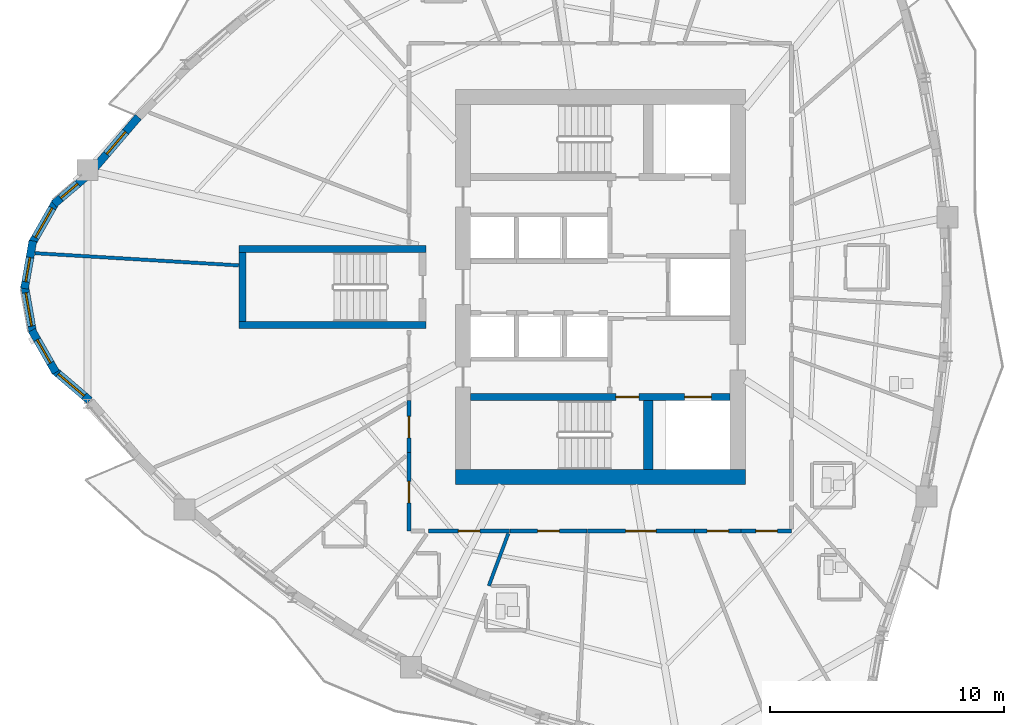
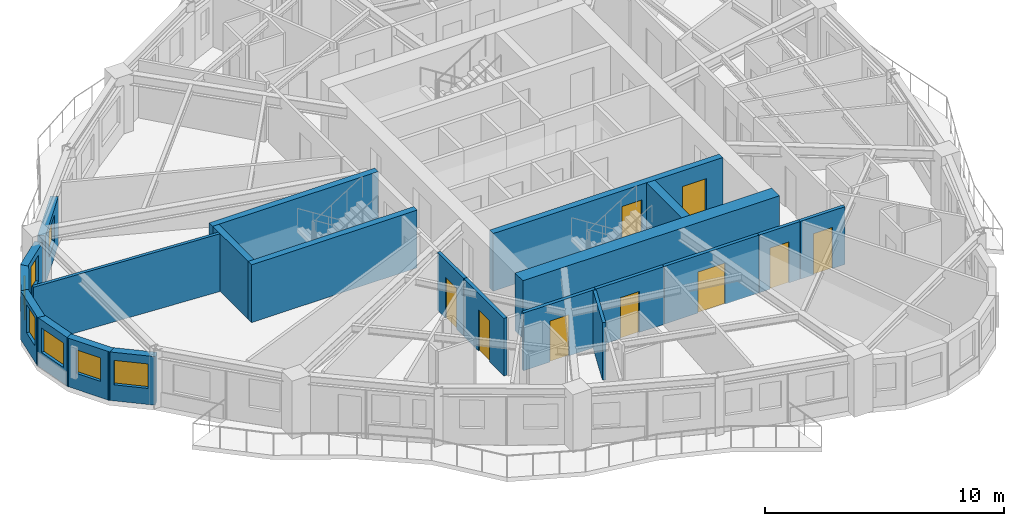
# One storey, part 4 of 13: 22 walls, 9 doors, 7 windows, 16 openings.
"""IFC4 building model written with IfcOpenShell, lengths in metres."""

from ifc_helpers import new_model, si_unit, direction, frame, frame_2d, origin, place, context, subcontext, project, spatial, rectangle, extrude, source, transform, mapped, material, layer, layer_set, type_object, element, fill, save


model = new_model("IFC4")

# Units and contexts
model_context = context("Model", 3, precision=1e-05, world=origin(), true_north=direction((0.0, 1.0)))
body_context = subcontext(model_context, "Body", "Model", "MODEL_VIEW")
ifc_project = project(units=[si_unit("LENGTHUNIT", "METRE"), si_unit("AREAUNIT", "SQUARE_METRE"), si_unit("VOLUMEUNIT", "CUBIC_METRE"), si_unit("PLANEANGLEUNIT", "RADIAN"), si_unit("MASSUNIT", "GRAM", prefix="KILO")], contexts=[model_context])

# Site, building, storey
site_placement = place(None, origin())
site = spatial("IfcSite", under=ifc_project, at=site_placement, CompositionType="ELEMENT")
building_placement = place(site_placement, origin())
building = spatial("IfcBuilding", under=site, at=building_placement, Name="Qafzar Sky-Pleat Residences", CompositionType="ELEMENT")
storey_placement = place(building_placement, frame((0.0, 0.0, 102.39990234375)))
storey = spatial("IfcBuildingStorey", under=building, at=storey_placement, Name="L30", CompositionType="ELEMENT", Elevation=102.39990234375)

# Wall, opening, door
ifc_material_1 = material(Name="Acoustic gypsum plasterboard partition", Category="gypsum")
ifc_layer_1 = layer(ifc_material_1, 0.159912109375)
ifc_layer_set_1 = layer_set([ifc_layer_1], Name="Acoustic gypsum plasterboard partition")
wall_type_1 = type_object("IfcWallType", Name="PART-COR-160", PredefinedType="PARTITIONING", material=ifc_layer_set_1)
wall_1_placement = place(storey_placement, frame((34.373046875, 15.570068359375, 0.0), z_axis=(0.0, 0.0, 1.0), x_axis=(-1.0, 0.0, 0.0)))
wall_1 = element("IfcWall", 1, at=wall_1_placement, inside=storey, type_object=wall_type_1, Name="L30 Partition Wall PART-L30-PW-004", PredefinedType="PARTITIONING", context=body_context, shape_type="SweptSolid", body=[
    extrude(rectangle(XDim=4.5771484375, YDim=0.159912109375, at=frame_2d((2.28857421875, 0.0))), origin(), (0.0, 0.0, 1.0), 2.9501953125),
])
opening_1_placement = place(wall_1_placement, frame((1.639404296875, 0.0, 0.0)))
opening_1 = element("IfcOpeningElement", 2, at=opening_1_placement, cuts=wall_1, Name="Opening ID-05", PredefinedType="OPENING", context=body_context, shape_type="SweptSolid", body=[
    extrude(rectangle(XDim=1.300048828125, YDim=2.10009765625, at=frame_2d((0.64990234375, 1.050048828125))), frame((0.0, 0.08984375, 0.0), z_axis=(0.0, -1.0, 0.0), x_axis=(1.0, 0.0, 0.0)), (0.0, 0.0, 1.0), 0.179931640625),
])
ifc_material_2 = material(Name="Timber-faced fire door", Category="wood")
door_type_1 = type_object("IfcDoorType", Name="DR-LNG-1300", OperationType="DOUBLE_DOOR_SINGLE_SWING", PredefinedType="DOOR", material=ifc_material_2)
shared_shape_1 = source(origin(), body_context, "Body", "SweptSolid", [
    extrude(rectangle(XDim=1.300048828125, YDim=2.10009765625, at=frame_2d((0.64990234375, 1.050048828125))), frame((0.0, 0.02490234375, 0.0), z_axis=(0.0, -1.0, 0.0), x_axis=(1.0, 0.0, 0.0)), (0.0, 0.0, 1.0), 0.050048828125),
])
door_1_placement = place(opening_1_placement, origin())
door_1 = element("IfcDoor", 3, at=door_1_placement, inside=storey, type_object=door_type_1, Name="L30 Co-Living Lounge Door", OperationType="DOUBLE_DOOR_SINGLE_SWING", OverallHeight=2.10009765625, OverallWidth=1.300048828125, PredefinedType="DOOR", context=body_context, shape_type="MappedRepresentation", body=[
    mapped(shared_shape_1, transform((0.0, 0.0, 0.0), x_axis=(1.0, 0.0, 0.0), y_axis=(0.0, 1.0, 0.0), z_axis=(0.0, 0.0, 1.0), scale=1.0)),
])
fill(opening_1, door_1)

wall_2_placement = place(storey_placement, frame((26.472900390625, 15.570068359375, 0.0), z_axis=(0.0, 0.0, 1.0), x_axis=(-1.0, 0.0, 0.0)))
wall_2 = element("IfcWall", 4, at=wall_2_placement, inside=storey, type_object=wall_type_1, Name="L30 Partition Wall PART-L30-PW-008", PredefinedType="PARTITIONING", context=body_context, shape_type="SweptSolid", body=[
    extrude(rectangle(XDim=3.469970703125, YDim=0.159912109375, at=frame_2d((1.73486328125, 0.0))), origin(), (0.0, 0.0, 1.0), 2.9501953125),
])
opening_2_placement = place(wall_2_placement, frame((1.27392578125, 0.0, 0.0)))
opening_2 = element("IfcOpeningElement", 5, at=opening_2_placement, cuts=wall_2, Name="Opening ID-04", PredefinedType="OPENING", context=body_context, shape_type="SweptSolid", body=[
    extrude(rectangle(XDim=0.919921875, YDim=2.10009765625, at=frame_2d((0.4599609375, 1.050048828125))), frame((0.0, 0.08984375, 0.0), z_axis=(0.0, -1.0, 0.0), x_axis=(1.0, 0.0, 0.0)), (0.0, 0.0, 1.0), 0.179931640625),
])
door_type_2 = type_object("IfcDoorType", Name="DR-BED-920", OperationType="NOTDEFINED", PredefinedType="DOOR", material=ifc_material_2)
shared_shape_2 = source(origin(), body_context, "Body", "SweptSolid", [
    extrude(rectangle(XDim=0.919921875, YDim=2.10009765625, at=frame_2d((0.4599609375, 1.050048828125))), frame((0.0, 0.02490234375, 0.0), z_axis=(0.0, -1.0, 0.0), x_axis=(1.0, 0.0, 0.0)), (0.0, 0.0, 1.0), 0.050048828125),
])
door_2_placement = place(opening_2_placement, origin())
door_2 = element("IfcDoor", 6, at=door_2_placement, inside=storey, type_object=door_type_2, Name="L30 Co-Living Bedroom 14 Door", OperationType="SINGLE_SWING_RIGHT", OverallHeight=2.10009765625, OverallWidth=0.919921875, PredefinedType="DOOR", context=body_context, shape_type="MappedRepresentation", body=[
    mapped(shared_shape_2, transform((0.0, 0.0, 0.0), x_axis=(1.0, 0.0, 0.0), y_axis=(0.0, 1.0, 0.0), z_axis=(0.0, 0.0, 1.0), scale=1.0)),
])
fill(opening_2, door_2)

wall_3_placement = place(storey_placement, frame((22.169921875, 15.570068359375, 0.0), z_axis=(0.0, 0.0, 1.0), x_axis=(0.0, 1.0, 0.0)))
wall_3 = element("IfcWall", 7, at=wall_3_placement, inside=storey, type_object=wall_type_1, Name="L30 Partition Wall PART-L30-PW-009", PredefinedType="PARTITIONING", context=body_context, shape_type="SweptSolid", body=[
    extrude(rectangle(XDim=3.345947265625, YDim=0.159912109375, at=frame_2d((1.6728515625, 0.0))), origin(), (0.0, 0.0, 1.0), 2.9501953125),
])
opening_3_placement = place(wall_3_placement, frame((1.202880859375, 0.0, 0.0)))
opening_3 = element("IfcOpeningElement", 8, at=opening_3_placement, cuts=wall_3, Name="Opening ID-04", PredefinedType="OPENING", context=body_context, shape_type="SweptSolid", body=[
    extrude(rectangle(XDim=0.919921875, YDim=2.10009765625, at=frame_2d((0.4599609375, 1.050048828125))), frame((0.0, 0.08984375, 0.0), z_axis=(0.0, -1.0, 0.0), x_axis=(1.0, 0.0, 0.0)), (0.0, 0.0, 1.0), 0.179931640625),
])
door_3_placement = place(opening_3_placement, origin())
door_3 = element("IfcDoor", 9, at=door_3_placement, inside=storey, type_object=door_type_2, Name="L30 Co-Living Bedroom 13 Door", OperationType="SINGLE_SWING_LEFT", OverallHeight=2.10009765625, OverallWidth=0.919921875, PredefinedType="DOOR", context=body_context, shape_type="MappedRepresentation", body=[
    mapped(shared_shape_2, transform((0.0, 0.0, 0.0), x_axis=(1.0, 0.0, 0.0), y_axis=(0.0, 1.0, 0.0), z_axis=(0.0, 0.0, 1.0), scale=1.0)),
])
fill(opening_3, door_3)

wall_4_placement = place(storey_placement, frame((29.781005859375, 15.570068359375, 0.0), z_axis=(0.0, 0.0, 1.0), x_axis=(-1.0, 0.0, 0.0)))
wall_4 = element("IfcWall", 10, at=wall_4_placement, inside=storey, type_object=wall_type_1, Name="L30 Partition Wall PART-L30-PW-010", PredefinedType="PARTITIONING", context=body_context, shape_type="SweptSolid", body=[
    extrude(rectangle(XDim=3.29296875, YDim=0.159912109375, at=frame_2d((1.646484375, 0.0))), origin(), (0.0, 0.0, 1.0), 2.9501953125),
])
opening_4_placement = place(wall_4_placement, frame((1.18701171875, 0.0, 0.0)))
opening_4 = element("IfcOpeningElement", 11, at=opening_4_placement, cuts=wall_4, Name="Opening ID-04", PredefinedType="OPENING", context=body_context, shape_type="SweptSolid", body=[
    extrude(rectangle(XDim=0.919921875, YDim=2.10009765625, at=frame_2d((0.4599609375, 1.050048828125))), frame((0.0, 0.08984375, 0.0), z_axis=(0.0, -1.0, 0.0), x_axis=(1.0, 0.0, 0.0)), (0.0, 0.0, 1.0), 0.179931640625),
])
door_4_placement = place(opening_4_placement, origin())
door_4 = element("IfcDoor", 12, at=door_4_placement, inside=storey, type_object=door_type_2, Name="L30 Co-Living Bedroom 1 Door", OperationType="SINGLE_SWING_RIGHT", OverallHeight=2.10009765625, OverallWidth=0.919921875, PredefinedType="DOOR", context=body_context, shape_type="MappedRepresentation", body=[
    mapped(shared_shape_2, transform((0.0, 0.0, 0.0), x_axis=(1.0, 0.0, 0.0), y_axis=(0.0, 1.0, 0.0), z_axis=(0.0, 0.0, 1.0), scale=1.0)),
])
fill(opening_4, door_4)

wall_5_placement = place(storey_placement, frame((22.169921875, 18.930908203125, 0.0), z_axis=(0.0, 0.0, 1.0), x_axis=(0.0, 1.0, 0.0)))
wall_5 = element("IfcWall", 13, at=wall_5_placement, inside=storey, type_object=wall_type_1, Name="L30 Partition Wall PART-L30-PW-012", PredefinedType="PARTITIONING", context=body_context, shape_type="SweptSolid", body=[
    extrude(rectangle(XDim=2.210205078125, YDim=0.159912109375, at=frame_2d((1.10498046875, 0.0))), origin(), (0.0, 0.0, 1.0), 2.9501953125),
])
opening_5_placement = place(wall_5_placement, frame((0.618896484375, 0.0, 0.0)))
opening_5 = element("IfcOpeningElement", 14, at=opening_5_placement, cuts=wall_5, Name="Opening ID-04", PredefinedType="OPENING", context=body_context, shape_type="SweptSolid", body=[
    extrude(rectangle(XDim=0.919921875, YDim=2.10009765625, at=frame_2d((0.4599609375, 1.050048828125))), frame((0.0, 0.08984375, 0.0), z_axis=(0.0, -1.0, 0.0), x_axis=(1.0, 0.0, 0.0)), (0.0, 0.0, 1.0), 0.179931640625),
])
door_5_placement = place(opening_5_placement, origin())
door_5 = element("IfcDoor", 15, at=door_5_placement, inside=storey, type_object=door_type_2, Name="L30 Co-Living Bedroom 12 Door", OperationType="SINGLE_SWING_RIGHT", OverallHeight=2.10009765625, OverallWidth=0.919921875, PredefinedType="DOOR", context=body_context, shape_type="MappedRepresentation", body=[
    mapped(shared_shape_2, transform((0.0, 0.0, 0.0), x_axis=(1.0, 0.0, 0.0), y_axis=(0.0, 1.0, 0.0), z_axis=(0.0, 0.0, 1.0), scale=1.0)),
])
fill(opening_5, door_5)

wall_6_placement = place(storey_placement, frame((38.530029296875, 15.570068359375, 0.0), z_axis=(0.0, 0.0, 1.0), x_axis=(-1.0, 0.0, 0.0)))
wall_6 = element("IfcWall", 16, at=wall_6_placement, inside=storey, type_object=wall_type_1, Name="L30 Partition Wall PART-L30-PW-013", PredefinedType="PARTITIONING", context=body_context, shape_type="SweptSolid", body=[
    extrude(rectangle(XDim=2.156005859375, YDim=0.159912109375, at=frame_2d((1.078125, 0.0))), origin(), (0.0, 0.0, 1.0), 2.9501953125),
])
opening_6_placement = place(wall_6_placement, frame((0.60888671875, 0.0, 0.0)))
opening_6 = element("IfcOpeningElement", 17, at=opening_6_placement, cuts=wall_6, Name="Opening ID-04", PredefinedType="OPENING", context=body_context, shape_type="SweptSolid", body=[
    extrude(rectangle(XDim=0.919921875, YDim=2.10009765625, at=frame_2d((0.4599609375, 1.050048828125))), frame((0.0, 0.08984375, 0.0), z_axis=(0.0, -1.0, 0.0), x_axis=(1.0, 0.0, 0.0)), (0.0, 0.0, 1.0), 0.179931640625),
])
door_6_placement = place(opening_6_placement, origin())
door_6 = element("IfcDoor", 18, at=door_6_placement, inside=storey, type_object=door_type_2, Name="L30 Co-Living Bedroom 3 Door", OperationType="SINGLE_SWING_LEFT", OverallHeight=2.10009765625, OverallWidth=0.919921875, PredefinedType="DOOR", context=body_context, shape_type="MappedRepresentation", body=[
    mapped(shared_shape_2, transform((0.0, 0.0, 0.0), x_axis=(1.0, 0.0, 0.0), y_axis=(0.0, 1.0, 0.0), z_axis=(0.0, 0.0, 1.0), scale=1.0)),
])
fill(opening_6, door_6)

wall_7_placement = place(storey_placement, frame((36.35888671875, 15.570068359375, 0.0), z_axis=(0.0, 0.0, 1.0), x_axis=(-1.0, 0.0, 0.0)))
wall_7 = element("IfcWall", 19, at=wall_7_placement, inside=storey, type_object=wall_type_1, Name="L30 Partition Wall PART-L30-PW-015", PredefinedType="PARTITIONING", context=body_context, shape_type="SweptSolid", body=[
    extrude(rectangle(XDim=1.970947265625, YDim=0.159912109375, at=frame_2d((0.9853515625, 0.0))), origin(), (0.0, 0.0, 1.0), 2.9501953125),
])
opening_7_placement = place(wall_7_placement, frame((0.52490234375, 0.0, 0.0)))
opening_7 = element("IfcOpeningElement", 20, at=opening_7_placement, cuts=wall_7, Name="Opening ID-04", PredefinedType="OPENING", context=body_context, shape_type="SweptSolid", body=[
    extrude(rectangle(XDim=0.919921875, YDim=2.10009765625, at=frame_2d((0.4599609375, 1.050048828125))), frame((0.0, 0.08984375, 0.0), z_axis=(0.0, -1.0, 0.0), x_axis=(1.0, 0.0, 0.0)), (0.0, 0.0, 1.0), 0.179931640625),
])
door_7_placement = place(opening_7_placement, origin())
door_7 = element("IfcDoor", 21, at=door_7_placement, inside=storey, type_object=door_type_2, Name="L30 Co-Living Bedroom 2 Door", OperationType="SINGLE_SWING_LEFT", OverallHeight=2.10009765625, OverallWidth=0.919921875, PredefinedType="DOOR", context=body_context, shape_type="MappedRepresentation", body=[
    mapped(shared_shape_2, transform((0.0, 0.0, 0.0), x_axis=(1.0, 0.0, 0.0), y_axis=(0.0, 1.0, 0.0), z_axis=(0.0, 0.0, 1.0), scale=1.0)),
])
fill(opening_7, door_7)

# Walls
ifc_layer_2 = layer(ifc_material_1, 0.14501953125)
ifc_layer_set_2 = layer_set([ifc_layer_2], Name="Acoustic gypsum plasterboard partition")
wall_type_2 = type_object("IfcWallType", Name="PART-UNIT-145", PredefinedType="PARTITIONING", material=ifc_layer_set_2)
wall_8_placement = place(storey_placement, frame((6.1796875, 27.447509765625, 0.0), z_axis=(0.0, 0.0, 1.0), x_axis=(0.998209995059, -0.059806402362, 0.0)))
element("IfcWall", 22, at=wall_8_placement, inside=storey, type_object=wall_type_2, Name="L30 Partition Wall PART-L30-PW-038", PredefinedType="PARTITIONING", context=body_context, shape_type="SweptSolid", body=[
    extrude(rectangle(XDim=8.7236328125, YDim=0.14501953125, at=frame_2d((4.36181640625, 0.0))), origin(), (0.0, 0.0, 1.0), 2.9501953125),
])
wall_9_placement = place(storey_placement, frame((25.5810546875, 13.222900390625, 0.0), z_axis=(0.0, 0.0, 1.0), x_axis=(0.349597225683, 0.936900090615, 0.0)))
element("IfcWall", 23, at=wall_9_placement, inside=storey, type_object=wall_type_2, Name="L30 Partition Wall PART-L30-PW-055", PredefinedType="PARTITIONING", context=body_context, shape_type="SweptSolid", body=[
    extrude(rectangle(XDim=2.384765625, YDim=0.14501953125, at=frame_2d((1.1923828125, 0.0))), origin(), (0.0, 0.0, 1.0), 2.9501953125),
])

# Wall, opening, window
ifc_material_3 = material(Name="Precast concrete C40/50 with honed Riyadh limestone", Category="concrete")
ifc_layer_3 = layer(ifc_material_3, 0.340087890625)
ifc_layer_set_3 = layer_set([ifc_layer_3], Name="Precast concrete C40/50 with honed Riyadh limestone")
wall_type_3 = type_object("IfcWallType", Name="WALL-EXT-340", PredefinedType="SOLIDWALL", material=ifc_layer_set_3)
wall_10_placement = place(storey_placement, frame((8.354736328125, 30.7177734375, 0.0), z_axis=(0.0, 0.0, 1.0), x_axis=(-0.761134405886, -0.648594184507, 0.0)))
wall_10 = element("IfcWall", 24, at=wall_10_placement, inside=storey, type_object=wall_type_3, Name="L30 Limestone Facade Wall 1", PredefinedType="SOLIDWALL", context=body_context, shape_type="SweptSolid", body=[
    extrude(rectangle(XDim=1.804931640625, YDim=0.340087890625, at=frame_2d((0.90234375, 0.0))), origin(), (0.0, 0.0, 1.0), 2.47998046875),
])
opening_8_placement = place(wall_10_placement, frame((0.46240234375, 0.0, 0.820068359375)))
opening_8 = element("IfcOpeningElement", 25, at=opening_8_placement, cuts=wall_10, Name="Opening WN-12", PredefinedType="OPENING", context=body_context, shape_type="SweptSolid", body=[
    extrude(rectangle(XDim=0.949951171875, YDim=1.35009765625, at=frame_2d((0.47509765625, 0.675048828125))), frame((0.0, 0.18017578125, 0.0), z_axis=(0.0, -1.0, 0.0), x_axis=(1.0, 0.0, 0.0)), (0.0, 0.0, 1.0), 0.360107421875),
])
ifc_material_4 = material(Name="Solar-control low-E glass in bronze aluminium frame", Category="glass")
window_type_1 = type_object("IfcWindowType", Name="WIN-12", PartitioningType="SINGLE_PANEL", PredefinedType="WINDOW", material=ifc_material_4)
shared_shape_3 = source(origin(), body_context, "Body", "SweptSolid", [
    extrude(rectangle(XDim=0.949951171875, YDim=1.35009765625, at=frame_2d((0.47509765625, 0.675048828125))), frame((0.0, 0.030029296875, 0.0), z_axis=(0.0, -1.0, 0.0), x_axis=(1.0, 0.0, 0.0)), (0.0, 0.0, 1.0), 0.06005859375),
])
window_1_placement = place(opening_8_placement, origin())
window_1 = element("IfcWindow", 26, at=window_1_placement, inside=storey, type_object=window_type_1, Name="L30 Punched Facade Window 01", OverallHeight=1.35009765625, OverallWidth=0.949951171875, PartitioningType="SINGLE_PANEL", PredefinedType="WINDOW", context=body_context, shape_type="MappedRepresentation", body=[
    mapped(shared_shape_3, transform((0.0, 0.0, 0.0), x_axis=(1.0, 0.0, 0.0), y_axis=(0.0, 1.0, 0.0), z_axis=(0.0, 0.0, 1.0), scale=1.0)),
])
fill(opening_8, window_1)

wall_11_placement = place(storey_placement, frame((7.066162109375, 29.64990234375, 0.0), z_axis=(0.0, 0.0, 1.0), x_axis=(-0.496037473582, -0.868301114132, 0.0)))
wall_11 = element("IfcWall", 27, at=wall_11_placement, inside=storey, type_object=wall_type_3, Name="L30 Limestone Facade Wall 2", PredefinedType="SOLIDWALL", context=body_context, shape_type="SweptSolid", body=[
    extrude(rectangle(XDim=2.072998046875, YDim=0.340087890625, at=frame_2d((1.03662109375, 0.0))), origin(), (0.0, 0.0, 1.0), 2.47998046875),
])
opening_9_placement = place(wall_11_placement, frame((0.3115234375, 0.0, 0.820068359375)))
opening_9 = element("IfcOpeningElement", 28, at=opening_9_placement, cuts=wall_11, Name="Opening WN-15", PredefinedType="OPENING", context=body_context, shape_type="SweptSolid", body=[
    extrude(rectangle(XDim=1.449951171875, YDim=1.25, at=frame_2d((0.72509765625, 0.625))), frame((0.0, 0.18017578125, 0.0), z_axis=(0.0, -1.0, 0.0), x_axis=(1.0, 0.0, 0.0)), (0.0, 0.0, 1.0), 0.360107421875),
])
window_type_2 = type_object("IfcWindowType", Name="WIN-15", PartitioningType="SINGLE_PANEL", PredefinedType="WINDOW", material=ifc_material_4)
shared_shape_4 = source(origin(), body_context, "Body", "SweptSolid", [
    extrude(rectangle(XDim=1.449951171875, YDim=1.25, at=frame_2d((0.72509765625, 0.625))), frame((0.0, 0.030029296875, 0.0), z_axis=(0.0, -1.0, 0.0), x_axis=(1.0, 0.0, 0.0)), (0.0, 0.0, 1.0), 0.06005859375),
])
window_2_placement = place(opening_9_placement, origin())
window_2 = element("IfcWindow", 29, at=window_2_placement, inside=storey, type_object=window_type_2, Name="L30 Punched Facade Window 02", OverallHeight=1.25, OverallWidth=1.449951171875, PartitioningType="SINGLE_PANEL", PredefinedType="WINDOW", context=body_context, shape_type="MappedRepresentation", body=[
    mapped(shared_shape_4, transform((0.0, 0.0, 0.0), x_axis=(1.0, 0.0, 0.0), y_axis=(0.0, 1.0, 0.0), z_axis=(0.0, 0.0, 1.0), scale=1.0)),
])
fill(opening_9, window_2)

wall_12_placement = place(storey_placement, frame((6.0830078125, 27.975341796875, 0.0), z_axis=(0.0, 0.0, 1.0), x_axis=(-0.172186061474, -0.985064444711, 0.0)))
wall_12 = element("IfcWall", 30, at=wall_12_placement, inside=storey, type_object=wall_type_3, Name="L30 Limestone Facade Wall 3", PredefinedType="SOLIDWALL", context=body_context, shape_type="SweptSolid", body=[
    extrude(rectangle(XDim=2.072998046875, YDim=0.340087890625, at=frame_2d((1.03662109375, 0.0))), origin(), (0.0, 0.0, 1.0), 2.47998046875),
])
opening_10_placement = place(wall_12_placement, frame((0.724609375, 0.0, 0.820068359375)))
opening_10 = element("IfcOpeningElement", 31, at=opening_10_placement, cuts=wall_12, Name="Opening WN-06", PredefinedType="OPENING", context=body_context, shape_type="SweptSolid", body=[
    extrude(rectangle(XDim=1.050048828125, YDim=1.449951171875, at=frame_2d((0.52490234375, 0.72509765625))), frame((0.0, 0.18017578125, 0.0), z_axis=(0.0, -1.0, 0.0), x_axis=(1.0, 0.0, 0.0)), (0.0, 0.0, 1.0), 0.360107421875),
])
window_type_3 = type_object("IfcWindowType", Name="WIN-06", PartitioningType="SINGLE_PANEL", PredefinedType="WINDOW", material=ifc_material_4)
shared_shape_5 = source(origin(), body_context, "Body", "SweptSolid", [
    extrude(rectangle(XDim=1.050048828125, YDim=1.449951171875, at=frame_2d((0.52490234375, 0.72509765625))), frame((0.0, 0.030029296875, 0.0), z_axis=(0.0, -1.0, 0.0), x_axis=(1.0, 0.0, 0.0)), (0.0, 0.0, 1.0), 0.06005859375),
])
window_3_placement = place(opening_10_placement, origin())
window_3 = element("IfcWindow", 32, at=window_3_placement, inside=storey, type_object=window_type_3, Name="L30 Punched Facade Window 03-2", OverallHeight=1.449951171875, OverallWidth=1.050048828125, PartitioningType="SINGLE_PANEL", PredefinedType="WINDOW", context=body_context, shape_type="MappedRepresentation", body=[
    mapped(shared_shape_5, transform((0.0, 0.0, 0.0), x_axis=(1.0, 0.0, 0.0), y_axis=(0.0, 1.0, 0.0), z_axis=(0.0, 0.0, 1.0), scale=1.0)),
])
fill(opening_10, window_3)

wall_13_placement = place(storey_placement, frame((5.72607421875, 26.066650390625, 0.0), z_axis=(0.0, 0.0, 1.0), x_axis=(0.172186061474, -0.985064444711, 0.0)))
wall_13 = element("IfcWall", 33, at=wall_13_placement, inside=storey, type_object=wall_type_3, Name="L30 Limestone Facade Wall 4", PredefinedType="SOLIDWALL", context=body_context, shape_type="SweptSolid", body=[
    extrude(rectangle(XDim=2.072998046875, YDim=0.340087890625, at=frame_2d((1.03662109375, 0.0))), origin(), (0.0, 0.0, 1.0), 2.47998046875),
])
opening_11_placement = place(wall_13_placement, frame((0.3115234375, 0.0, 0.820068359375)))
opening_11 = element("IfcOpeningElement", 34, at=opening_11_placement, cuts=wall_13, Name="Opening WN-15", PredefinedType="OPENING", context=body_context, shape_type="SweptSolid", body=[
    extrude(rectangle(XDim=1.449951171875, YDim=1.25, at=frame_2d((0.72509765625, 0.625))), frame((0.0, 0.18017578125, 0.0), z_axis=(0.0, -1.0, 0.0), x_axis=(1.0, 0.0, 0.0)), (0.0, 0.0, 1.0), 0.360107421875),
])
window_4_placement = place(opening_11_placement, origin())
window_4 = element("IfcWindow", 35, at=window_4_placement, inside=storey, type_object=window_type_2, Name="L30 Punched Facade Window 04", OverallHeight=1.25, OverallWidth=1.449951171875, PartitioningType="SINGLE_PANEL", PredefinedType="WINDOW", context=body_context, shape_type="MappedRepresentation", body=[
    mapped(shared_shape_4, transform((0.0, 0.0, 0.0), x_axis=(1.0, 0.0, 0.0), y_axis=(0.0, 1.0, 0.0), z_axis=(0.0, 0.0, 1.0), scale=1.0)),
])
fill(opening_11, window_4)

wall_14_placement = place(storey_placement, frame((6.037841796875, 24.150146484375, 0.0), z_axis=(0.0, 0.0, 1.0), x_axis=(0.496037473582, -0.868301114132, 0.0)))
wall_14 = element("IfcWall", 36, at=wall_14_placement, inside=storey, type_object=wall_type_3, Name="L30 Limestone Facade Wall 5", PredefinedType="SOLIDWALL", context=body_context, shape_type="SweptSolid", body=[
    extrude(rectangle(XDim=2.072998046875, YDim=0.340087890625, at=frame_2d((1.03662109375, 0.0))), origin(), (0.0, 0.0, 1.0), 2.47998046875),
])
opening_12_placement = place(wall_14_placement, frame((0.46142578125, 0.0, 0.820068359375)))
opening_12 = element("IfcOpeningElement", 37, at=opening_12_placement, cuts=wall_14, Name="Opening WN-16", PredefinedType="OPENING", context=body_context, shape_type="SweptSolid", body=[
    extrude(rectangle(XDim=1.14990234375, YDim=1.199951171875, at=frame_2d((0.574951171875, 0.60009765625))), frame((0.0, 0.18017578125, 0.0), z_axis=(0.0, -1.0, 0.0), x_axis=(1.0, 0.0, 0.0)), (0.0, 0.0, 1.0), 0.360107421875),
])
window_type_4 = type_object("IfcWindowType", Name="WIN-16", PartitioningType="SINGLE_PANEL", PredefinedType="WINDOW", material=ifc_material_4)
shared_shape_6 = source(origin(), body_context, "Body", "SweptSolid", [
    extrude(rectangle(XDim=1.14990234375, YDim=1.199951171875, at=frame_2d((0.574951171875, 0.60009765625))), frame((0.0, 0.030029296875, 0.0), z_axis=(0.0, -1.0, 0.0), x_axis=(1.0, 0.0, 0.0)), (0.0, 0.0, 1.0), 0.06005859375),
])
window_5_placement = place(opening_12_placement, origin())
window_5 = element("IfcWindow", 38, at=window_5_placement, inside=storey, type_object=window_type_4, Name="L30 Punched Facade Window 05", OverallHeight=1.199951171875, OverallWidth=1.14990234375, PartitioningType="SINGLE_PANEL", PredefinedType="WINDOW", context=body_context, shape_type="MappedRepresentation", body=[
    mapped(shared_shape_6, transform((0.0, 0.0, 0.0), x_axis=(1.0, 0.0, 0.0), y_axis=(0.0, 1.0, 0.0), z_axis=(0.0, 0.0, 1.0), scale=1.0)),
])
fill(opening_12, window_5)

wall_15_placement = place(storey_placement, frame((6.98095703125, 22.452880859375, 0.0), z_axis=(0.0, 0.0, 1.0), x_axis=(0.761092561451, -0.648643286332, 0.0)))
wall_15 = element("IfcWall", 39, at=wall_15_placement, inside=storey, type_object=wall_type_3, Name="L30 Limestone Facade Wall 6", PredefinedType="SOLIDWALL", context=body_context, shape_type="SweptSolid", body=[
    extrude(rectangle(XDim=2.014892578125, YDim=0.340087890625, at=frame_2d((1.00732421875, 0.0))), origin(), (0.0, 0.0, 1.0), 2.47998046875),
])
opening_13_placement = place(wall_15_placement, frame((0.25244140625, 0.0, 0.820068359375)))
opening_13 = element("IfcOpeningElement", 40, at=opening_13_placement, cuts=wall_15, Name="Opening WN-15", PredefinedType="OPENING", context=body_context, shape_type="SweptSolid", body=[
    extrude(rectangle(XDim=1.449951171875, YDim=1.25, at=frame_2d((0.72509765625, 0.625))), frame((0.0, 0.18017578125, 0.0), z_axis=(0.0, -1.0, 0.0), x_axis=(1.0, 0.0, 0.0)), (0.0, 0.0, 1.0), 0.360107421875),
])
window_6_placement = place(opening_13_placement, origin())
window_6 = element("IfcWindow", 41, at=window_6_placement, inside=storey, type_object=window_type_2, Name="L30 Punched Facade Window 06", OverallHeight=1.25, OverallWidth=1.449951171875, PartitioningType="SINGLE_PANEL", PredefinedType="WINDOW", context=body_context, shape_type="MappedRepresentation", body=[
    mapped(shared_shape_4, transform((0.0, 0.0, 0.0), x_axis=(1.0, 0.0, 0.0), y_axis=(0.0, 1.0, 0.0), z_axis=(0.0, 0.0, 1.0), scale=1.0)),
])
fill(opening_13, window_6)

wall_16_placement = place(storey_placement, frame((10.59423828125, 33.2724609375, 0.0), z_axis=(0.0, 0.0, 1.0), x_axis=(-0.650763769467, -0.759280262057, 0.0)))
wall_16 = element("IfcWall", 42, at=wall_16_placement, inside=storey, type_object=wall_type_3, Name="L30 Limestone Facade Wall 48", PredefinedType="SOLIDWALL", context=body_context, shape_type="SweptSolid", body=[
    extrude(rectangle(XDim=2.91357421875, YDim=0.340087890625, at=frame_2d((1.456787109375, 0.0))), origin(), (0.0, 0.0, 1.0), 2.47998046875),
])
opening_14_placement = place(wall_16_placement, frame((0.8369140625, 0.0, 0.820068359375)))
opening_14 = element("IfcOpeningElement", 43, at=opening_14_placement, cuts=wall_16, Name="Opening WN-11", PredefinedType="OPENING", context=body_context, shape_type="SweptSolid", body=[
    extrude(rectangle(XDim=1.25, YDim=1.35009765625, at=frame_2d((0.625, 0.675048828125))), frame((0.0, 0.18017578125, 0.0), z_axis=(0.0, -1.0, 0.0), x_axis=(1.0, 0.0, 0.0)), (0.0, 0.0, 1.0), 0.360107421875),
])
window_type_5 = type_object("IfcWindowType", Name="WIN-11", PartitioningType="SINGLE_PANEL", PredefinedType="WINDOW", material=ifc_material_4)
shared_shape_7 = source(origin(), body_context, "Body", "SweptSolid", [
    extrude(rectangle(XDim=1.25, YDim=1.35009765625, at=frame_2d((0.625, 0.675048828125))), frame((0.0, 0.030029296875, 0.0), z_axis=(0.0, -1.0, 0.0), x_axis=(1.0, 0.0, 0.0)), (0.0, 0.0, 1.0), 0.06005859375),
])
window_7_placement = place(opening_14_placement, origin())
window_7 = element("IfcWindow", 44, at=window_7_placement, inside=storey, type_object=window_type_5, Name="L30 Punched Facade Window 48", OverallHeight=1.35009765625, OverallWidth=1.25, PartitioningType="SINGLE_PANEL", PredefinedType="WINDOW", context=body_context, shape_type="MappedRepresentation", body=[
    mapped(shared_shape_7, transform((0.0, 0.0, 0.0), x_axis=(1.0, 0.0, 0.0), y_axis=(0.0, 1.0, 0.0), z_axis=(0.0, 0.0, 1.0), scale=1.0)),
])
fill(opening_14, window_7)

# Wall, openings, doors
ifc_material_5 = material(Name="Concrete C60/75", Category="concrete")
ifc_layer_4 = layer(ifc_material_5, 0.300048828125)
ifc_layer_set_4 = layer_set([ifc_layer_4], Name="Concrete C60/75")
wall_type_4 = type_object("IfcWallType", Name="WALL-SHEAR-300", PredefinedType="SHEAR", material=ifc_layer_set_4)
wall_17_placement = place(storey_placement, frame((24.800048828125, 21.300048828125, 0.0), z_axis=(0.0, 0.0, 1.0), x_axis=(1.0, 0.0, 0.0)))
wall_17 = element("IfcWall", 45, at=wall_17_placement, inside=storey, type_object=wall_type_4, Name="L30 Stair ST1 and FF1 Shaft North Wall", PredefinedType="SHEAR", context=body_context, shape_type="SweptSolid", body=[
    extrude(rectangle(XDim=11.099853515625, YDim=0.300048828125, at=frame_2d((5.5498046875, 0.0))), origin(), (0.0, 0.0, 1.0), 2.9501953125),
])
opening_15_placement = place(wall_17_placement, frame((6.219970703125, 0.0, 0.0)))
opening_15 = element("IfcOpeningElement", 46, at=opening_15_placement, cuts=wall_17, Name="Opening ID-01", PredefinedType="OPENING", context=body_context, shape_type="SweptSolid", body=[
    extrude(rectangle(XDim=0.97998046875, YDim=2.14990234375, at=frame_2d((0.489990234375, 1.074951171875))), frame((0.0, 0.16015625, 0.0), z_axis=(0.0, -1.0, 0.0), x_axis=(1.0, 0.0, 0.0)), (0.0, 0.0, 1.0), 0.320068359375),
])
opening_16_placement = place(wall_17_placement, frame((9.14990234375, 0.0, 0.0)))
opening_16 = element("IfcOpeningElement", 47, at=opening_16_placement, cuts=wall_17, Name="Opening LD-02", PredefinedType="OPENING", context=body_context, shape_type="SweptSolid", body=[
    extrude(rectangle(XDim=1.14990234375, YDim=2.14990234375, at=frame_2d((0.574951171875, 1.074951171875))), frame((0.0, 0.16015625, 0.0), z_axis=(0.0, -1.0, 0.0), x_axis=(1.0, 0.0, 0.0)), (0.0, 0.0, 1.0), 0.320068359375),
])
door_type_3 = type_object("IfcDoorType", Name="DR-STAIR-980", OperationType="NOTDEFINED", PredefinedType="DOOR", material=ifc_material_2)
shared_shape_8 = source(origin(), body_context, "Body", "SweptSolid", [
    extrude(rectangle(XDim=0.97998046875, YDim=2.14990234375, at=frame_2d((0.489990234375, 1.074951171875))), frame((0.0, 0.02490234375, 0.0), z_axis=(0.0, -1.0, 0.0), x_axis=(1.0, 0.0, 0.0)), (0.0, 0.0, 1.0), 0.050048828125),
])
door_8_placement = place(opening_15_placement, origin())
door_8 = element("IfcDoor", 48, at=door_8_placement, inside=storey, type_object=door_type_3, Name="L30 Stair ST1 Fire Door", OperationType="SINGLE_SWING_RIGHT", OverallHeight=2.14990234375, OverallWidth=0.97998046875, PredefinedType="DOOR", context=body_context, shape_type="MappedRepresentation", body=[
    mapped(shared_shape_8, transform((0.0, 0.0, 0.0), x_axis=(1.0, 0.0, 0.0), y_axis=(0.0, 1.0, 0.0), z_axis=(0.0, 0.0, 1.0), scale=1.0)),
])
fill(opening_15, door_8)
ifc_material_6 = material(Name="Stainless steel sliding landing door", Category="steel")
door_type_4 = type_object("IfcDoorType", Name="DR-LIFT-FF", OperationType="DOUBLE_DOOR_SLIDING", PredefinedType="DOOR", material=ifc_material_6)
shared_shape_9 = source(origin(), body_context, "Body", "SweptSolid", [
    extrude(rectangle(XDim=1.14990234375, YDim=2.14990234375, at=frame_2d((0.574951171875, 1.074951171875))), frame((0.0, 0.02490234375, 0.0), z_axis=(0.0, -1.0, 0.0), x_axis=(1.0, 0.0, 0.0)), (0.0, 0.0, 1.0), 0.050048828125),
])
door_9_placement = place(opening_16_placement, origin())
door_9 = element("IfcDoor", 49, at=door_9_placement, inside=storey, type_object=door_type_4, Name="L30 Firefighting Lift FF1 Landing Door", OperationType="DOUBLE_DOOR_SLIDING", OverallHeight=2.14990234375, OverallWidth=1.14990234375, PredefinedType="DOOR", context=body_context, shape_type="MappedRepresentation", body=[
    mapped(shared_shape_9, transform((0.0, 0.0, 0.0), x_axis=(1.0, 0.0, 0.0), y_axis=(0.0, 1.0, 0.0), z_axis=(0.0, 0.0, 1.0), scale=1.0)),
])
fill(opening_16, door_9)

# Walls
for number, where, z_axis, x_axis, name in (
    (50, (14.89990234375, 24.375, 0.0), (0.0, 0.0, 1.0), (1.0, 0.0, 0.0), "L30 ST3 wall S"),
    (51, (22.89990234375, 27.625, 0.0), (0.0, 0.0, 1.0), (-1.0, 0.0, 0.0), "L30 ST3 wall N"),
):
    element("IfcWall", number, at=place(storey_placement, frame(where, z_axis=z_axis, x_axis=x_axis)), inside=storey, type_object=wall_type_4, Name=name, PredefinedType="SHEAR", context=body_context, shape_type="SweptSolid", body=[
        extrude(rectangle(XDim=8.0, YDim=0.300048828125, at=frame_2d((4.0, 0.0))), origin(), (0.0, 0.0, 1.0), 2.9501953125),
    ])
wall_18_placement = place(storey_placement, frame((15.050048828125, 27.47509765625, 0.0), z_axis=(0.0, 0.0, 1.0), x_axis=(0.0, -1.0, 0.0)))
element("IfcWall", 52, at=wall_18_placement, inside=storey, type_object=wall_type_4, Name="L30 ST3 wall W", PredefinedType="SHEAR", context=body_context, shape_type="SweptSolid", body=[
    extrude(rectangle(XDim=2.9501953125, YDim=0.300048828125, at=frame_2d((1.47509765625, 0.0))), origin(), (0.0, 0.0, 1.0), 2.9501953125),
])
ifc_layer_5 = layer(ifc_material_5, 0.39990234375)
ifc_layer_set_5 = layer_set([ifc_layer_5], Name="Concrete C60/75")
wall_type_5 = type_object("IfcWallType", Name="WALL-SHEAR-400", PredefinedType="SHEAR", material=ifc_layer_set_5)
wall_19_placement = place(storey_placement, frame((32.39990234375, 18.199951171875, 0.0), z_axis=(0.0, 0.0, 1.0), x_axis=(0.0, 1.0, 0.0)))
element("IfcWall", 53, at=wall_19_placement, inside=storey, type_object=wall_type_5, Name="L30 Stair ST1 East Dividing Wall", PredefinedType="SHEAR", context=body_context, shape_type="SweptSolid", body=[
    extrude(rectangle(XDim=2.949951171875, YDim=0.39990234375, at=frame_2d((1.47509765625, 0.0))), origin(), (0.0, 0.0, 1.0), 2.9501953125),
])
ifc_layer_6 = layer(ifc_material_5, 0.64990234375)
ifc_layer_set_6 = layer_set([ifc_layer_6], Name="Concrete C60/75")
wall_type_6 = type_object("IfcWallType", Name="WALL-SHEAR-650", PredefinedType="SHEAR", material=ifc_layer_set_6)
wall_20_placement = place(storey_placement, frame((24.14990234375, 17.875, 0.0), z_axis=(0.0, 0.0, 1.0), x_axis=(1.0, 0.0, 0.0)))
element("IfcWall", 54, at=wall_20_placement, inside=storey, type_object=wall_type_6, Name="L30 CORE wall S", PredefinedType="SHEAR", context=body_context, shape_type="SweptSolid", body=[
    extrude(rectangle(XDim=12.400146484375, YDim=0.64990234375, at=frame_2d((6.2001953125, 0.0))), origin(), (0.0, 0.0, 1.0), 2.9501953125),
])

save(model, "model.ifc")
